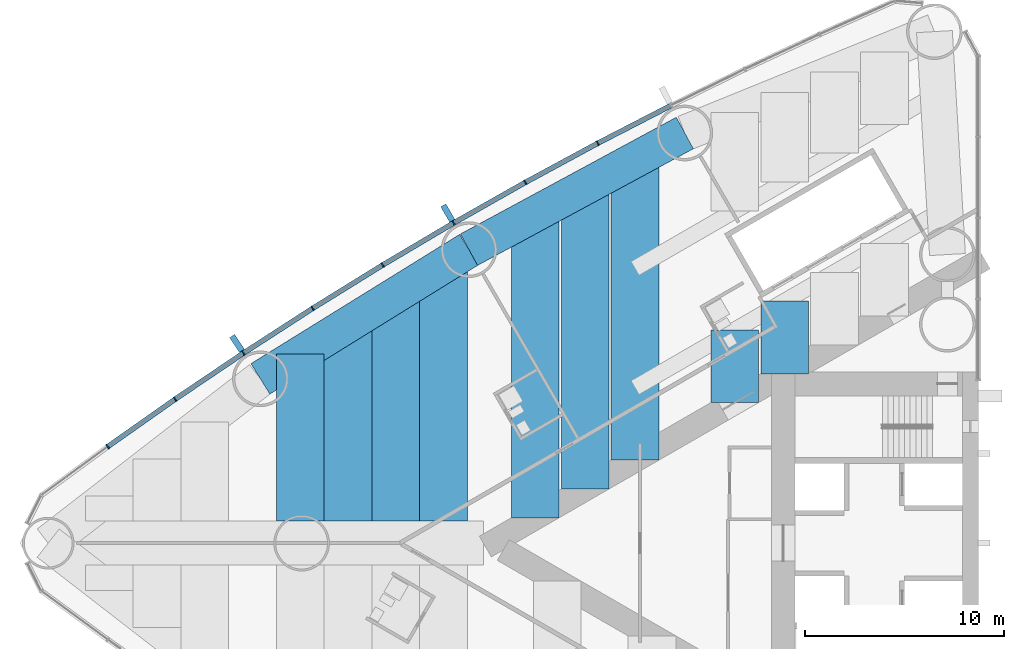
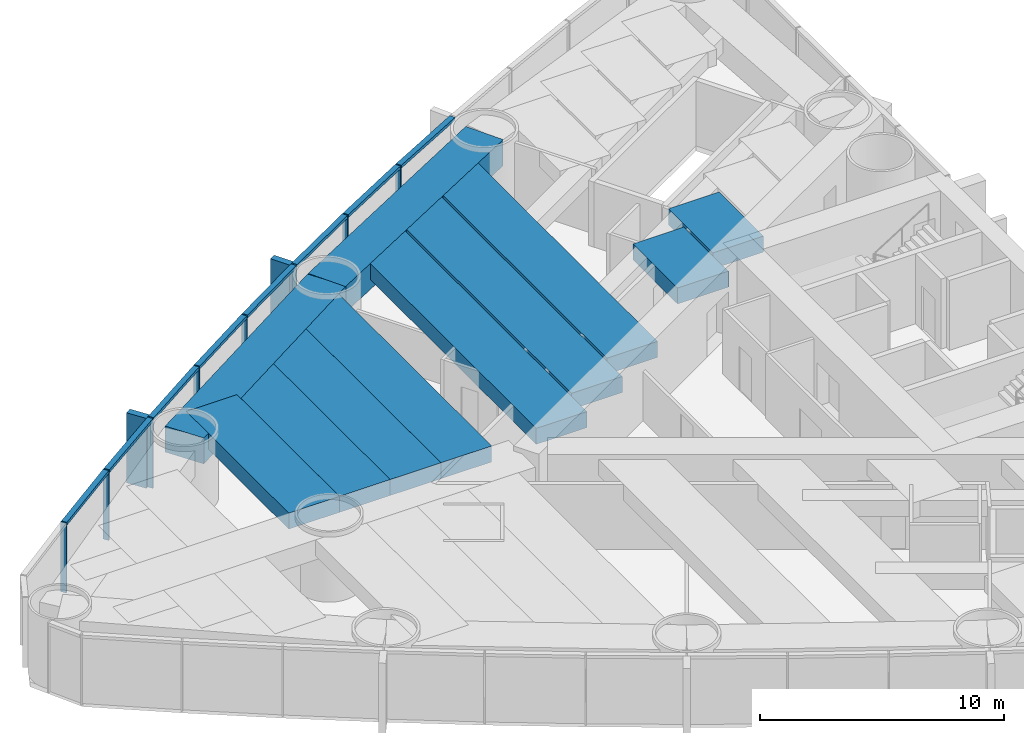
# One storey, part 4 of 18: 18 members, 11 beams, 1 element without a shape of its own.
"""IFC4 building model written with IfcOpenShell, lengths in metres."""

from ifc_helpers import new_model, si_unit, direction, frame, origin, origin_2d, place, context, subcontext, project, spatial, rectangle, extrude, material, material_profile, profile_set, type_object, element, aggregate, save


model = new_model("IFC4")

# Units and contexts
model_context = context("Model", 3, precision=1e-05, world=origin(), true_north=direction((0.0, 1.0)))
body_context = subcontext(model_context, "Body", "Model", "MODEL_VIEW")
ifc_project = project(units=[si_unit("LENGTHUNIT", "METRE"), si_unit("AREAUNIT", "SQUARE_METRE"), si_unit("VOLUMEUNIT", "CUBIC_METRE"), si_unit("PLANEANGLEUNIT", "RADIAN"), si_unit("MASSUNIT", "GRAM", prefix="KILO")], contexts=[model_context])

# Site, building, storey
site_placement = place(None, origin())
site = spatial("IfcSite", under=ifc_project, at=site_placement, CompositionType="ELEMENT")
building_placement = place(site_placement, origin())
building = spatial("IfcBuilding", under=site, at=building_placement, Name="Lancet Gate Hotel", CompositionType="ELEMENT")
storey_placement = place(building_placement, frame((0.0, 0.0, 42.5)))
storey = spatial("IfcBuildingStorey", under=building, at=storey_placement, Name="L10", CompositionType="ELEMENT", Elevation=42.5)

# Curtain wall, members
ifc_material_1 = material(Name="Aluminium curtain wall", Category="aluminium")
curtain_wall_type = type_object("IfcCurtainWallType", Name="Tower unitised curtain wall", PredefinedType="USERDEFINED", material=ifc_material_1)
curtain_wall_placement = place(storey_placement, origin())
curtain_wall = element("IfcCurtainWall", 1, at=curtain_wall_placement, inside=storey, type_object=curtain_wall_type, Name="T1 L10 curtain wall 2", ObjectType="UNITISED CURTAIN WALL", PredefinedType="USERDEFINED")
ifc_material_2 = material(Name="Aluminium mullion", Category="aluminium")
ifc_material_profile_1 = material_profile(ifc_material_2, rectangle(XDim=0.06494140625, YDim=0.25, at=origin_2d()), Name="MULLION 65x250")
ifc_profile_set_1 = profile_set([ifc_material_profile_1], Name="Aluminium mullion")
member_type_1 = type_object("IfcMemberType", Name="Aluminium mullion 65x250", PredefinedType="MULLION", material=ifc_profile_set_1)
member_1_placement = place(storey_placement, frame((-46.6220703125, 20.094970703125, 0.0), z_axis=(0.0, 0.0, 1.0), x_axis=(-0.884311132302, -0.466898084475, 0.0)))
member_1 = element("IfcMember", 2, at=member_1_placement, type_object=member_type_1, Name="T1 L10 curtain wall 2 mullion 6", PredefinedType="MULLION", context=body_context, shape_type="SweptSolid", body=[
    extrude(rectangle(XDim=0.06494140625, YDim=0.25, at=origin_2d()), origin(), (0.0, 0.0, 1.0), 3.5),
])
member_2_placement = place(storey_placement, frame((-50.26416015625, 18.1259765625, 0.0), z_axis=(0.0, 0.0, 1.0), x_axis=(-0.874991035403, -0.484139120464, 0.0)))
member_2 = element("IfcMember", 3, at=member_2_placement, type_object=member_type_1, Name="T1 L10 curtain wall 2 mullion 7", PredefinedType="MULLION", context=body_context, shape_type="SweptSolid", body=[
    extrude(rectangle(XDim=0.06494140625, YDim=0.25, at=origin_2d()), origin(), (0.0, 0.0, 1.0), 3.5),
])
member_3_placement = place(storey_placement, frame((-53.866943359375, 16.086181640625, 0.0), z_axis=(0.0, 0.0, 1.0), x_axis=(-0.86533483912, -0.501194190115, 0.0)))
member_3 = element("IfcMember", 4, at=member_3_placement, type_object=member_type_1, Name="T1 L10 curtain wall 2 mullion 8", PredefinedType="MULLION", context=body_context, shape_type="SweptSolid", body=[
    extrude(rectangle(XDim=0.06494140625, YDim=0.25, at=origin_2d()), origin(), (0.0, 0.0, 1.0), 3.5),
])
member_4_placement = place(storey_placement, frame((-57.42919921875, 13.97607421875, 0.0), z_axis=(0.0, 0.0, 1.0), x_axis=(-0.855346252548, -0.518056742309, 0.0)))
member_4 = element("IfcMember", 5, at=member_4_placement, type_object=member_type_1, Name="T1 L10 curtain wall 2 mullion 9", PredefinedType="MULLION", context=body_context, shape_type="SweptSolid", body=[
    extrude(rectangle(XDim=0.06494140625, YDim=0.25, at=origin_2d()), origin(), (0.0, 0.0, 1.0), 3.5),
])
member_5_placement = place(storey_placement, frame((-60.949462890625, 11.796630859375, 0.0), z_axis=(0.0, 0.0, 1.0), x_axis=(-0.845029112489, -0.534720299827, 0.0)))
member_5 = element("IfcMember", 6, at=member_5_placement, type_object=member_type_1, Name="T1 L10 curtain wall 2 mullion 10", PredefinedType="MULLION", context=body_context, shape_type="SweptSolid", body=[
    extrude(rectangle(XDim=0.06494140625, YDim=0.25, at=origin_2d()), origin(), (0.0, 0.0, 1.0), 3.5),
])
member_6_placement = place(storey_placement, frame((-64.42626953125, 9.548583984375, 0.0), z_axis=(0.0, 0.0, 1.0), x_axis=(-0.834387381945, -0.55117846189, 0.0)))
member_6 = element("IfcMember", 7, at=member_6_placement, type_object=member_type_1, Name="T1 L10 curtain wall 2 mullion 11", PredefinedType="MULLION", context=body_context, shape_type="SweptSolid", body=[
    extrude(rectangle(XDim=0.06494140625, YDim=0.25, at=origin_2d()), origin(), (0.0, 0.0, 1.0), 3.5),
])
member_7_placement = place(storey_placement, frame((-67.858154296875, 7.232666015625, 0.0), z_axis=(0.0, 0.0, 1.0), x_axis=(-0.823425148573, -0.56742490666, 0.0)))
member_7 = element("IfcMember", 8, at=member_7_placement, type_object=member_type_1, Name="T1 L10 curtain wall 2 mullion 12", PredefinedType="MULLION", context=body_context, shape_type="SweptSolid", body=[
    extrude(rectangle(XDim=0.06494140625, YDim=0.25, at=origin_2d()), origin(), (0.0, 0.0, 1.0), 3.5),
])
member_8_placement = place(storey_placement, frame((-71.244384765625, 4.85009765625, 0.0), z_axis=(0.0, 0.0, 1.0), x_axis=(-0.812146623168, -0.583453393578, 0.0)))
member_8 = element("IfcMember", 9, at=member_8_placement, type_object=member_type_1, Name="T1 L10 curtain wall 2 mullion 13", PredefinedType="MULLION", context=body_context, shape_type="SweptSolid", body=[
    extrude(rectangle(XDim=0.06494140625, YDim=0.25, at=origin_2d()), origin(), (0.0, 0.0, 1.0), 3.5),
])
ifc_material_3 = material(Name="Aluminium transom", Category="aluminium")
ifc_material_profile_2 = material_profile(ifc_material_3, rectangle(XDim=0.25, YDim=0.14990234375, at=origin_2d()), Name="TRANSOM 250x150")
ifc_profile_set_2 = profile_set([ifc_material_profile_2], Name="Aluminium transom")
member_type_2 = type_object("IfcMemberType", Name="Aluminium transom 250x150", PredefinedType="USERDEFINED", material=ifc_profile_set_2)
member_9_placement = place(storey_placement, frame((-42.970703125, 21.97705078125, 3.425048828125), z_axis=(-0.888859972399, -0.458178949175, 0.0), x_axis=(0.458178949175, -0.888859972399, 0.0)))
member_9 = element("IfcMember", 10, at=member_9_placement, type_object=member_type_2, Name="T1 L10 curtain wall 2 transom 5", ObjectType="TRANSOM", PredefinedType="USERDEFINED", context=body_context, shape_type="SweptSolid", body=[
    extrude(rectangle(XDim=0.25, YDim=0.14990234375, at=origin_2d()), origin(), (0.0, 0.0, 1.0), 4.0751953125),
])
member_10_placement = place(storey_placement, frame((-46.650634765625, 20.079345703125, 3.425048828125), z_axis=(-0.87971396408, -0.475503250675, 0.0), x_axis=(0.475503250675, -0.87971396408, 0.0)))
member_10 = element("IfcMember", 11, at=member_10_placement, type_object=member_type_2, Name="T1 L10 curtain wall 2 transom 6", ObjectType="TRANSOM", PredefinedType="USERDEFINED", context=body_context, shape_type="SweptSolid", body=[
    extrude(rectangle(XDim=0.25, YDim=0.14990234375, at=origin_2d()), origin(), (0.0, 0.0, 1.0), 4.0751953125),
])
member_11_placement = place(storey_placement, frame((-50.29248046875, 18.110107421875, 3.425048828125), z_axis=(-0.870197729943, -0.492702659625, 0.0), x_axis=(0.492702659625, -0.870197729943, 0.0)))
member_11 = element("IfcMember", 12, at=member_11_placement, type_object=member_type_2, Name="T1 L10 curtain wall 2 transom 7", ObjectType="TRANSOM", PredefinedType="USERDEFINED", context=body_context, shape_type="SweptSolid", body=[
    extrude(rectangle(XDim=0.25, YDim=0.14990234375, at=origin_2d()), origin(), (0.0, 0.0, 1.0), 4.0751953125),
])
member_12_placement = place(storey_placement, frame((-53.89501953125, 16.069580078125, 3.425048828125), z_axis=(-0.86039174806, -0.509633240547, 0.0), x_axis=(0.509633240547, -0.86039174806, 0.0)))
member_12 = element("IfcMember", 13, at=member_12_placement, type_object=member_type_2, Name="T1 L10 curtain wall 2 transom 8", ObjectType="TRANSOM", PredefinedType="USERDEFINED", context=body_context, shape_type="SweptSolid", body=[
    extrude(rectangle(XDim=0.25, YDim=0.14990234375, at=origin_2d()), origin(), (0.0, 0.0, 1.0), 4.0751953125),
])
member_13_placement = place(storey_placement, frame((-57.456787109375, 13.958984375, 3.425048828125), z_axis=(-0.850242165643, -0.526391736032, 0.0), x_axis=(0.526391736032, -0.850242165643, 0.0)))
member_13 = element("IfcMember", 14, at=member_13_placement, type_object=member_type_2, Name="T1 L10 curtain wall 2 transom 9", ObjectType="TRANSOM", PredefinedType="USERDEFINED", context=body_context, shape_type="SweptSolid", body=[
    extrude(rectangle(XDim=0.25, YDim=0.14990234375, at=origin_2d()), origin(), (0.0, 0.0, 1.0), 4.075439453125),
])
member_14_placement = place(storey_placement, frame((-60.976806640625, 11.779052734375, 3.425048828125), z_axis=(-0.839729242404, -0.543005340169, 0.0), x_axis=(0.543005340169, -0.839729242404, 0.0)))
member_14 = element("IfcMember", 15, at=member_14_placement, type_object=member_type_2, Name="T1 L10 curtain wall 2 transom 10", ObjectType="TRANSOM", PredefinedType="USERDEFINED", context=body_context, shape_type="SweptSolid", body=[
    extrude(rectangle(XDim=0.25, YDim=0.14990234375, at=origin_2d()), origin(), (0.0, 0.0, 1.0), 4.0751953125),
])
member_15_placement = place(storey_placement, frame((-64.453125, 9.5302734375, 3.425048828125), z_axis=(-0.828959086782, -0.559309245804, 0.0), x_axis=(0.559309245804, -0.828959086782, 0.0)))
member_15 = element("IfcMember", 16, at=member_15_placement, type_object=member_type_2, Name="T1 L10 curtain wall 2 transom 11", ObjectType="TRANSOM", PredefinedType="USERDEFINED", context=body_context, shape_type="SweptSolid", body=[
    extrude(rectangle(XDim=0.25, YDim=0.14990234375, at=origin_2d()), origin(), (0.0, 0.0, 1.0), 4.0751953125),
])
member_16_placement = place(storey_placement, frame((-67.884765625, 7.214111328125, 3.425048828125), z_axis=(-0.817833568345, -0.57545482402, 0.0), x_axis=(0.57545482402, -0.817833568345, 0.0)))
member_16 = element("IfcMember", 17, at=member_16_placement, type_object=member_type_2, Name="T1 L10 curtain wall 2 transom 12", ObjectType="TRANSOM", PredefinedType="USERDEFINED", context=body_context, shape_type="SweptSolid", body=[
    extrude(rectangle(XDim=0.25, YDim=0.14990234375, at=origin_2d()), origin(), (0.0, 0.0, 1.0), 4.075439453125),
])

# Beams
ifc_material_4 = material(Name="Concrete C50/60", Category="concrete")
ifc_material_profile_3 = material_profile(ifc_material_4, rectangle(XDim=1.800048828125, YDim=1.300048828125, at=origin_2d()), Name="RC 1800x1300")
ifc_profile_set_3 = profile_set([ifc_material_profile_3], Name="Concrete C50/60")
beam_type_1 = type_object("IfcBeamType", Name="Edge beam RC 1800x1300", PredefinedType="SPANDREL", material=ifc_profile_set_3)
for number, where, z_axis, x_axis, name in (
    (18, (-42.2451171875, 20.607421875, 2.60009765625), (-0.879692855603, -0.475542300749, 0.0), (0.475542300749, -0.879692855603, 0.0), "T1 edge beam EB1 L10"),
    (19, (-53.090087890625, 14.744873046875, 2.60009765625), (-0.850225894333, -0.526418016984, 0.0), (0.526418016984, -0.850225894333, 0.0), "T1 edge beam EB1 L10"),
):
    element("IfcBeam", number, at=place(storey_placement, frame(where, z_axis=z_axis, x_axis=x_axis)), inside=storey, type_object=beam_type_1, Name=name, PredefinedType="SPANDREL", context=body_context, shape_type="SweptSolid", body=[
        extrude(rectangle(XDim=1.800048828125, YDim=1.300048828125, at=origin_2d()), origin(), (0.0, 0.0, 1.0), 12.328125),
    ])

# Member
ifc_material_5 = material(Name="Precast concrete C50/60", Category="concrete")
ifc_material_profile_4 = material_profile(ifc_material_5, rectangle(XDim=0.300048828125, YDim=0.89990234375, at=origin_2d()), Name="FIN 300x900")
ifc_profile_set_4 = profile_set([ifc_material_profile_4], Name="Precast concrete C50/60")
member_type_3 = type_object("IfcMemberType", Name="Exposed concrete fin 300x900", PredefinedType="USERDEFINED", material=ifc_profile_set_4)
member_17_placement = place(storey_placement, frame((-54.1552734375, 16.583740234375, 0.0), z_axis=(0.0, 0.0, 1.0), x_axis=(-0.86533483912, -0.501194190115, 0.0)))
member_17 = element("IfcMember", 20, at=member_17_placement, type_object=member_type_3, Name="T1 L10 curtain wall 2 fin 8", ObjectType="FIN", PredefinedType="USERDEFINED", context=body_context, shape_type="SweptSolid", body=[
    extrude(rectangle(XDim=0.300048828125, YDim=0.89990234375, at=origin_2d()), origin(), (0.0, 0.0, 1.0), 3.5),
])

member_18_placement = place(storey_placement, frame((-64.7431640625, 10.0283203125, 0.0), z_axis=(0.0, 0.0, 1.0), x_axis=(-0.834387381945, -0.55117846189, 0.0)))
member_18 = element("IfcMember", 21, at=member_18_placement, type_object=member_type_3, Name="T1 L10 curtain wall 2 fin 11", ObjectType="FIN", PredefinedType="USERDEFINED", context=body_context, shape_type="SweptSolid", body=[
    extrude(rectangle(XDim=0.300048828125, YDim=0.89990234375, at=origin_2d()), origin(), (0.0, 0.0, 1.0), 3.5),
])

aggregate(curtain_wall, [member_1, member_2, member_3, member_17, member_4, member_5, member_6, member_18, member_7, member_8, member_9, member_10, member_11, member_12, member_13, member_14, member_15, member_16])

# Beams
ifc_material_6 = material(Name="Concrete C50/60", Category="concrete")
ifc_material_profile_5 = material_profile(ifc_material_6, rectangle(XDim=2.39990234375, YDim=0.800048828125, at=origin_2d()), Name="RC 2400x800")
ifc_profile_set_5 = profile_set([ifc_material_profile_5], Name="Concrete C50/60")
beam_type_2 = type_object("IfcBeamType", Name="Floor beam RC 2400x800", PredefinedType="BEAM", material=ifc_profile_set_5)
beam_1_placement = place(storey_placement, frame((-44.747802734375, 19.254638671875, 2.85009765625), z_axis=(0.0, -1.0, 0.0), x_axis=(1.0, 0.0, 0.0)))
element("IfcBeam", 22, at=beam_1_placement, inside=storey, type_object=beam_type_2, Name="T1 floor beam F09S L10", PredefinedType="BEAM", context=body_context, shape_type="SweptSolid", body=[
    extrude(rectangle(XDim=2.39990234375, YDim=0.800048828125, at=origin_2d()), origin(), (0.0, 0.0, 1.0), 15.0859375),
])
beam_2_placement = place(storey_placement, frame((-47.254638671875, 17.8994140625, 2.85009765625), z_axis=(0.0, -1.0, 0.0), x_axis=(1.0, 0.0, 0.0)))
element("IfcBeam", 23, at=beam_2_placement, inside=storey, type_object=beam_type_2, Name="T1 floor beam F10S L10", PredefinedType="BEAM", context=body_context, shape_type="SweptSolid", body=[
    extrude(rectangle(XDim=2.39990234375, YDim=0.800048828125, at=origin_2d()), origin(), (0.0, 0.0, 1.0), 15.177978515625),
])
beam_3_placement = place(storey_placement, frame((-49.761474609375, 16.54443359375, 2.85009765625), z_axis=(0.0, -1.0, 0.0), x_axis=(1.0, 0.0, 0.0)))
element("IfcBeam", 24, at=beam_3_placement, inside=storey, type_object=beam_type_2, Name="T1 floor beam F12S L10", PredefinedType="BEAM", context=body_context, shape_type="SweptSolid", body=[
    extrude(rectangle(XDim=2.39990234375, YDim=0.800048828125, at=origin_2d()), origin(), (0.0, 0.0, 1.0), 15.270263671875),
])
beam_4_placement = place(storey_placement, frame((-54.3681640625, 13.95361328125, 2.85009765625), z_axis=(0.0, -1.0, 0.0), x_axis=(1.0, 0.0, 0.0)))
element("IfcBeam", 25, at=beam_4_placement, inside=storey, type_object=beam_type_2, Name="T1 floor beam F13S L10", PredefinedType="BEAM", context=body_context, shape_type="SweptSolid", body=[
    extrude(rectangle(XDim=2.39990234375, YDim=0.800048828125, at=origin_2d()), origin(), (0.0, 0.0, 1.0), 12.853515625),
])
beam_5_placement = place(storey_placement, frame((-56.768310546875, 12.467529296875, 2.85009765625), z_axis=(0.0, -1.0, 0.0), x_axis=(1.0, 0.0, 0.0)))
element("IfcBeam", 26, at=beam_5_placement, inside=storey, type_object=beam_type_2, Name="T1 floor beam F15S L10", PredefinedType="BEAM", context=body_context, shape_type="SweptSolid", body=[
    extrude(rectangle(XDim=2.39990234375, YDim=0.800048828125, at=origin_2d()), origin(), (0.0, 0.0, 1.0), 11.367431640625),
])
beam_6_placement = place(storey_placement, frame((-59.168212890625, 10.981689453125, 2.85009765625), z_axis=(0.0, -1.0, 0.0), x_axis=(1.0, 0.0, 0.0)))
element("IfcBeam", 27, at=beam_6_placement, inside=storey, type_object=beam_type_2, Name="T1 floor beam F17S L10", PredefinedType="BEAM", context=body_context, shape_type="SweptSolid", body=[
    extrude(rectangle(XDim=2.39990234375, YDim=0.800048828125, at=origin_2d()), origin(), (0.0, 0.0, 1.0), 9.881591796875),
])
beam_7_placement = place(storey_placement, frame((-61.568359375, 9.495849609375, 2.85009765625), z_axis=(0.0, -1.0, 0.0), x_axis=(1.0, 0.0, 0.0)))
element("IfcBeam", 28, at=beam_7_placement, inside=storey, type_object=beam_type_2, Name="T1 floor beam F19S L10", PredefinedType="BEAM", context=body_context, shape_type="SweptSolid", body=[
    extrude(rectangle(XDim=2.39990234375, YDim=0.800048828125, at=origin_2d()), origin(), (0.0, 0.0, 1.0), 8.395751953125),
])
beam_8_placement = place(storey_placement, frame((-37.227294921875, 12.15625, 2.85009765625), z_axis=(0.0, -1.0, 0.0), x_axis=(1.0, 0.0, 0.0)))
element("IfcBeam", 29, at=beam_8_placement, inside=storey, type_object=beam_type_2, Name="T1 floor beam F05SB L10", PredefinedType="BEAM", context=body_context, shape_type="SweptSolid", body=[
    extrude(rectangle(XDim=2.39990234375, YDim=0.800048828125, at=origin_2d()), origin(), (0.0, 0.0, 1.0), 3.6455078125),
])
beam_9_placement = place(storey_placement, frame((-39.734130859375, 10.708740234375, 2.85009765625), z_axis=(0.0, -1.0, 0.0), x_axis=(1.0, 0.0, 0.0)))
element("IfcBeam", 30, at=beam_9_placement, inside=storey, type_object=beam_type_2, Name="T1 floor beam F07SB L10", PredefinedType="BEAM", context=body_context, shape_type="SweptSolid", body=[
    extrude(rectangle(XDim=2.39990234375, YDim=0.800048828125, at=origin_2d()), origin(), (0.0, 0.0, 1.0), 3.645263671875),
])

save(model, "model.ifc")
